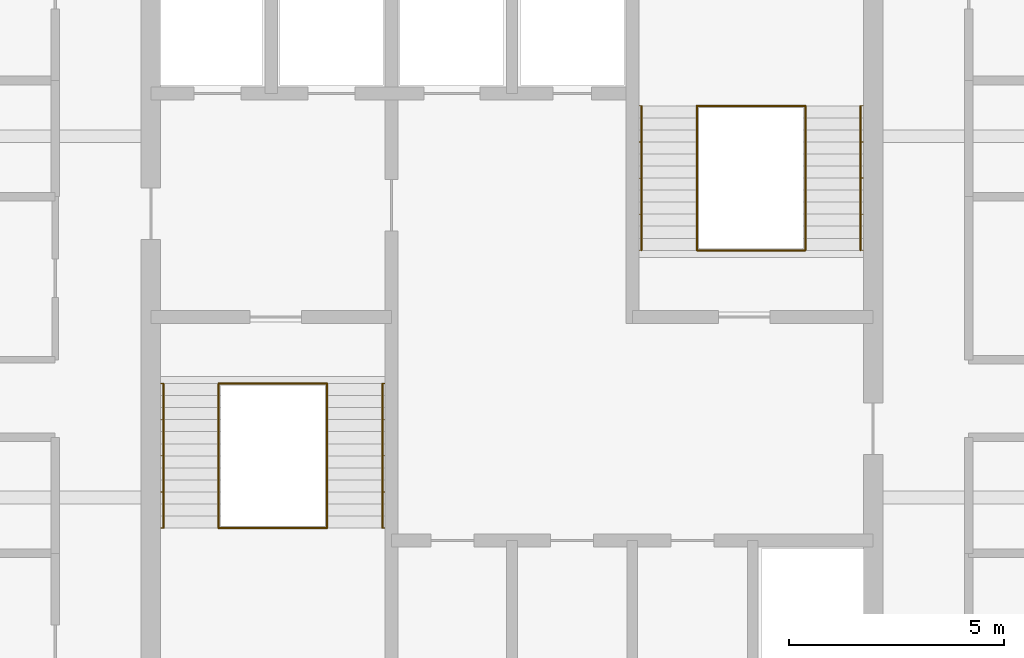
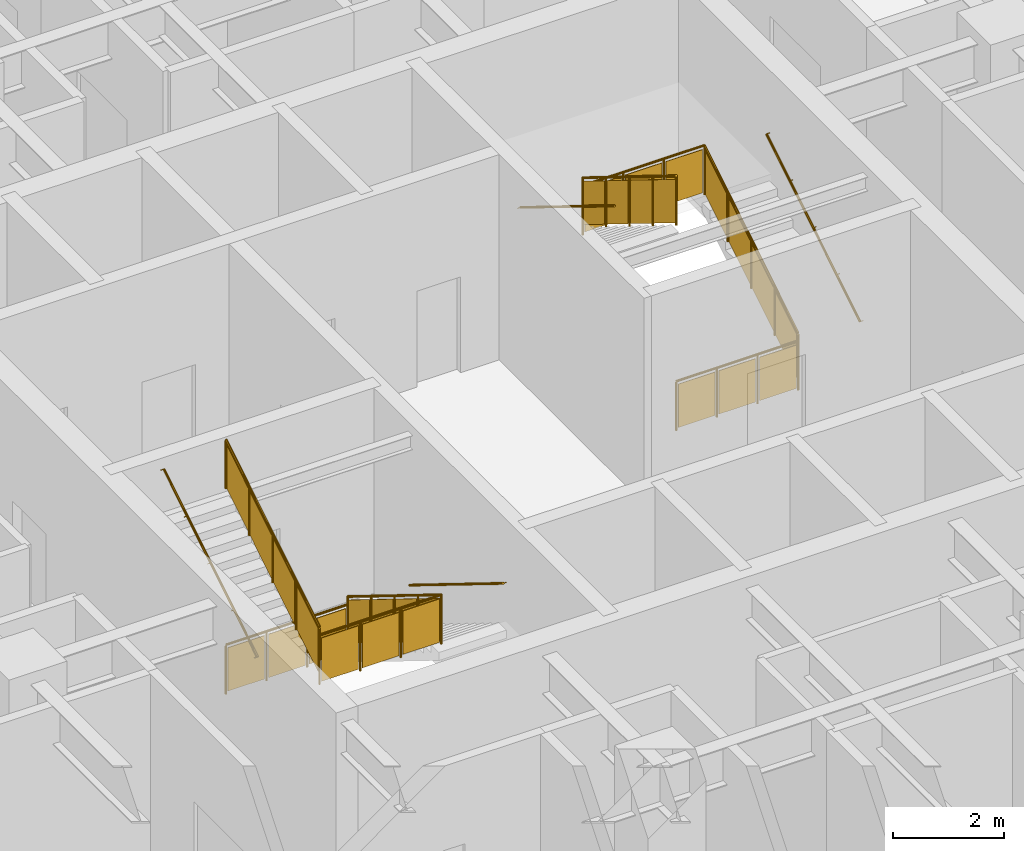
# One storey, part 8 of 8: 12 railings.
"""IFC4 building model written with IfcOpenShell, lengths in metres."""

import ifcopenshell
import ifcopenshell.guid

model = None  # the IFC model being written
_history = None  # IfcOwnerHistory: only IFC2X3 demands one
_inside = {}  # id of a spatial element -> (the spatial element, [elements in it])
_under = {}  # id of a project, library or spatial element -> (it, [spatial elements below it])
_declared = {}  # id of a project -> (the project, [libraries it declares])
_typed = {}  # id of a type object -> (the type object, [elements of that type])
_made_of = {}  # id of a material, layer set ... -> (it, [elements and type objects made of it])


def new_model(schema):
    """Start an empty IFC model of exactly this schema.

    Asked for "IFC4X3", IfcOpenShell would pick the latest addendum, in which some entities
    have other attributes; the version numbers below select the first issue.
    IFC2X3 requires an IfcOwnerHistory on every rooted entity: one is made here for all.
    """
    global model, _history
    if schema == "IFC4X3":
        model = ifcopenshell.file(schema_version=(4, 3, 0, 0))
    else:
        model = ifcopenshell.file(schema=schema)
    _inside.clear()
    _under.clear()
    _declared.clear()
    _typed.clear()
    _made_of.clear()
    _history = None
    if model.schema == "IFC2X3":
        org = make("IfcOrganization", Name="unknown")
        user = make(
            "IfcPersonAndOrganization",
            ThePerson=make("IfcPerson", FamilyName="unknown"),
            TheOrganization=org,
        )
        app = make(
            "IfcApplication",
            ApplicationDeveloper=org,
            Version="unknown",
            ApplicationFullName="unknown",
            ApplicationIdentifier="unknown",
        )
        _history = make(
            "IfcOwnerHistory",
            OwningUser=user,
            OwningApplication=app,
            ChangeAction="ADDED",
            CreationDate=0,
        )
    return model


def make(cls, **values):
    """One entity of the class cls with the attributes given. An attribute that is None is left unset."""
    return model.create_entity(
        cls, **{name: value for name, value in values.items() if value is not None}
    )


def rooted(cls, **values):
    """An entity with a GlobalId (a new one), such as an element, a storey or a relation."""
    return make(cls, GlobalId=ifcopenshell.guid.new(), OwnerHistory=_history, **values)


def si_unit(unit_type, name, prefix=None):
    """IfcSIUnit, for example si_unit("LENGTHUNIT", "METRE", prefix="MILLI")."""
    return make("IfcSIUnit", UnitType=unit_type, Prefix=prefix, Name=name)


def assignment(units):
    """IfcUnitAssignment: the units of a project."""
    return None if units is None else make("IfcUnitAssignment", Units=units)


def point(xyz):
    """IfcCartesianPoint."""
    return None if xyz is None else make("IfcCartesianPoint", Coordinates=xyz)


def direction(xyz):
    """IfcDirection."""
    return None if xyz is None else make("IfcDirection", DirectionRatios=xyz)


def frame(location, z_axis=None, x_axis=None):
    """IfcAxis2Placement3D, a coordinate frame: its origin and axes. An axis left out is left unset."""
    return make(
        "IfcAxis2Placement3D",
        Location=point(location),
        Axis=direction(z_axis),
        RefDirection=direction(x_axis),
    )


def frame_2d(location, x_axis=None):
    """IfcAxis2Placement2D, a coordinate frame in the plane: its origin and x axis."""
    return make(
        "IfcAxis2Placement2D", Location=point(location), RefDirection=direction(x_axis)
    )


def origin():
    """The frame at (0, 0, 0) with its axes left unset."""
    return frame((0.0, 0.0, 0.0))


def origin_2d():
    """The frame at (0, 0) in the plane with its x axis left unset."""
    return frame_2d((0.0, 0.0))


def place(relative_to, where):
    """IfcLocalPlacement: puts the frame where relative to a parent placement (None: the world)."""
    return make(
        "IfcLocalPlacement", PlacementRelTo=relative_to, RelativePlacement=where
    )


def context(
    kind, dimensions, precision=None, world=None, true_north=None, identifier=None
):
    """IfcGeometricRepresentationContext, for example the 3D "Model" context."""
    return make(
        "IfcGeometricRepresentationContext",
        ContextIdentifier=identifier,
        ContextType=kind,
        CoordinateSpaceDimension=dimensions,
        Precision=precision,
        WorldCoordinateSystem=world,
        TrueNorth=true_north,
    )


def subcontext(parent, identifier, kind, view, scale=None):
    """IfcGeometricRepresentationSubContext, for example "Body" below "Model"."""
    return make(
        "IfcGeometricRepresentationSubContext",
        ContextIdentifier=identifier,
        ContextType=kind,
        ParentContext=parent,
        TargetScale=scale,
        TargetView=view,
    )


def project(units=None, contexts=None):
    """IfcProject with its units and contexts."""
    return rooted(
        "IfcProject",
        Name="project",
        RepresentationContexts=contexts,
        UnitsInContext=assignment(units),
    )


def spatial(cls, under=None, at=None, **own):
    """A site, building, storey or space (cls), placed at a placement, below another one or the project."""
    s = rooted(cls, ObjectPlacement=at, **own)
    if under is not None:
        _under.setdefault(under.id(), (under, []))[1].append(s)
    return s


def polyline(points):
    """IfcPolyline through the points."""
    return make("IfcPolyline", Points=[point(p) for p in points])


def profile(cls, at=None, kind="AREA", **sizes):
    """A parametric profile (cls). Its sizes go by their IFC names, for example OverallWidth=200.0."""
    return make(cls, ProfileType=kind, Position=at, **sizes)


def circle(**sizes):
    """IfcCircleProfileDef."""
    return profile("IfcCircleProfileDef", **sizes)


def outline(outer, holes=None, kind="AREA"):
    """IfcArbitraryClosedProfileDef: a profile drawn as a closed curve; with holes, ...WithVoids."""
    if holes is None:
        return make("IfcArbitraryClosedProfileDef", ProfileType=kind, OuterCurve=outer)
    return make(
        "IfcArbitraryProfileDefWithVoids",
        ProfileType=kind,
        OuterCurve=outer,
        InnerCurves=holes,
    )


def extrude(swept, where, along, depth):
    """IfcExtrudedAreaSolid: the profile swept, set in the frame where, extruded along a direction by depth."""
    return make(
        "IfcExtrudedAreaSolid",
        SweptArea=swept,
        Position=where,
        ExtrudedDirection=direction(along),
        Depth=depth,
    )


def shape(context_of_items, identifier, shape_type, items):
    """IfcShapeRepresentation: the items that make up one representation, for example the "Body"."""
    return make(
        "IfcShapeRepresentation",
        ContextOfItems=context_of_items,
        RepresentationIdentifier=identifier,
        RepresentationType=shape_type,
        Items=items,
    )


def material(Name=None, Category=None):
    """IfcMaterial."""
    return make("IfcMaterial", Name=Name, Category=Category)


def made_of(thing, what):
    """Note that an element or type object is made of a material, layer set ...; save() writes the relation."""
    if what is not None:
        _made_of.setdefault(what.id(), (what, []))[1].append(thing)
    return thing


def type_object(cls, material=None, **own):
    """A type object (cls), such as IfcWallType, which elements share."""
    return made_of(rooted(cls, **own), material)


def element(
    cls,
    number,
    at=None,
    inside=None,
    cuts=None,
    type_object=None,
    material=None,
    context=None,
    identifier="Body",
    shape_type=None,
    held_by="IfcProductDefinitionShape",
    body=None,
    shapes=None,
    **own,
):
    """One element of the class cls, such as IfcWall. Its Tag is "e" and its number.

    at: its placement. inside: the storey or other place that contains it. cuts: it is an
    opening in that element (IfcRelVoidsElement). A single representation is given by context,
    identifier, shape_type and body (its items); several are given by shapes. held_by: the class
    of the entity that holds the representations. save() writes the other relations.
    """
    e = rooted(cls, Tag="e%d" % number, ObjectPlacement=at, **own)
    if body is not None:
        shapes = [shape(context, identifier, shape_type, body)]
    if shapes is not None:
        e.Representation = make(held_by, Representations=shapes)
    if inside is not None:
        _inside.setdefault(inside.id(), (inside, []))[1].append(e)
    if cuts is not None:
        rooted(
            "IfcRelVoidsElement", RelatingBuildingElement=cuts, RelatedOpeningElement=e
        )
    if type_object is not None:
        _typed.setdefault(type_object.id(), (type_object, []))[1].append(e)
    return made_of(e, material)


def aggregate(whole, parts):
    """IfcRelAggregates: a whole, such as a stair, and the parts it consists of."""
    return rooted("IfcRelAggregates", RelatingObject=whole, RelatedObjects=parts)


def save(model, path):
    """Write the relations noted so far, then the file.

    IfcRelAggregates (storeys below a building ...), IfcRelContainedInSpatialStructure (elements
    in a storey), IfcRelDefinesByType, IfcRelAssociatesMaterial and IfcRelDeclares: one each for
    every whole, place, type object, material and project.
    """
    for whole, parts in _under.values():
        aggregate(whole, parts)
    for where, things in _inside.values():
        rooted(
            "IfcRelContainedInSpatialStructure",
            RelatedElements=things,
            RelatingStructure=where,
        )
    for kind, things in _typed.values():
        rooted("IfcRelDefinesByType", RelatedObjects=things, RelatingType=kind)
    for what, things in _made_of.values():
        rooted("IfcRelAssociatesMaterial", RelatedObjects=things, RelatingMaterial=what)
    for by, libraries in _declared.values():
        rooted("IfcRelDeclares", RelatingContext=by, RelatedDefinitions=libraries)
    model.write(path)


model = new_model("IFC4")

# Units and contexts
model_context = context("Model", 3, precision=1e-05, world=origin(), true_north=direction((0.0, 1.0)))
body_context = subcontext(model_context, "Body", "Model", "MODEL_VIEW")
ifc_project = project(units=[si_unit("LENGTHUNIT", "METRE"), si_unit("AREAUNIT", "SQUARE_METRE"), si_unit("VOLUMEUNIT", "CUBIC_METRE"), si_unit("PLANEANGLEUNIT", "RADIAN"), si_unit("MASSUNIT", "GRAM", prefix="KILO")], contexts=[model_context])

# Site, building, storey
site_placement = place(None, origin())
site = spatial("IfcSite", under=ifc_project, at=site_placement, CompositionType="ELEMENT")
building_placement = place(site_placement, origin())
building = spatial("IfcBuilding", under=site, at=building_placement, Name="Torre Alcanfor", CompositionType="ELEMENT")
storey_placement = place(building_placement, frame((0.0, 0.0, 300.89990234375)))
storey = spatial("IfcBuildingStorey", under=building, at=storey_placement, Name="L79", CompositionType="ELEMENT", Elevation=300.89990234375)

# Railings
ifc_material_1 = material(Name="Steel ASTM A500 Grade C hollow sections", Category="steel")
railing_type_1 = type_object("IfcRailingType", Name="Stair guard and handrail 1100", PredefinedType="GUARDRAIL", material=ifc_material_1)
railing_1_placement = place(storey_placement, frame((25.10009765625, 27.85009765625, 0.173095703125)))
element("IfcRailing", 1, at=railing_1_placement, inside=storey, type_object=railing_type_1, Name="Stair guard S1 L79 flight 1", PredefinedType="GUARDRAIL", context=body_context, shape_type="SweptSolid", body=[
    extrude(circle(Radius=0.02392578125, at=origin_2d()), frame((0.0, 0.0, 1.076171875), z_axis=(0.0, -0.850623216509, 0.525775754039), x_axis=(1.0, 0.0, 0.0)), (0.0, 0.0, 1.0), 3.9501953125),
    extrude(circle(Radius=0.02099609375, at=origin_2d()), origin(), (0.0, 0.0, 1.0), 1.052001953125),
    extrude(circle(Radius=0.02099609375, at=origin_2d()), frame((0.0, -0.840087890625, 0.519287109375)), (0.0, 0.0, 1.0), 1.052001953125),
    extrude(circle(Radius=0.02099609375, at=origin_2d()), frame((0.0, -1.68017578125, 1.03857421875)), (0.0, 0.0, 1.0), 1.052001953125),
    extrude(circle(Radius=0.02099609375, at=origin_2d()), frame((0.0, -2.52001953125, 1.5576171875)), (0.0, 0.0, 1.0), 1.052001953125),
    extrude(circle(Radius=0.02099609375, at=origin_2d()), frame((0.0, -3.360107421875, 2.076904296875)), (0.0, 0.0, 1.0), 1.052001953125),
    extrude(outline(polyline([(0.041015625, 0.075439453125), (0.799072265625, 0.5439453125), (0.799072265625, 1.495849609375), (0.041015625, 1.02734375), (0.041015625, 0.075439453125)])), frame((0.005859375, 0.0, 0.0), z_axis=(-1.0, 0.0, 0.0), x_axis=(0.0, -1.0, 0.0)), (0.0, 0.0, 1.0), 0.011962890625),
    extrude(outline(polyline([(0.881103515625, 0.594482421875), (1.63916015625, 1.06298828125), (1.63916015625, 2.01513671875), (0.881103515625, 1.546630859375), (0.881103515625, 0.594482421875)])), frame((0.005859375, 0.0, 0.0), z_axis=(-1.0, 0.0, 0.0), x_axis=(0.0, -1.0, 0.0)), (0.0, 0.0, 1.0), 0.011962890625),
    extrude(outline(polyline([(1.720947265625, 1.11376953125), (2.47900390625, 1.582275390625), (2.47900390625, 2.534423828125), (1.720947265625, 2.065673828125), (1.720947265625, 1.11376953125)])), frame((0.005859375, 0.0, 0.0), z_axis=(-1.0, 0.0, 0.0), x_axis=(0.0, -1.0, 0.0)), (0.0, 0.0, 1.0), 0.011962890625),
    extrude(outline(polyline([(2.56103515625, 1.633056640625), (3.319091796875, 2.1015625), (3.319091796875, 3.053466796875), (2.56103515625, 2.5849609375), (2.56103515625, 1.633056640625)])), frame((0.005859375, 0.0, 0.0), z_axis=(-1.0, 0.0, 0.0), x_axis=(0.0, -1.0, 0.0)), (0.0, 0.0, 1.0), 0.011962890625),
])
railing_2_placement = place(storey_placement, frame((22.574951171875, 24.489990234375, 2.423095703125)))
element("IfcRailing", 2, at=railing_2_placement, inside=storey, type_object=railing_type_1, Name="Stair guard S1 L79 flight 2", PredefinedType="GUARDRAIL", context=body_context, shape_type="SweptSolid", body=[
    extrude(circle(Radius=0.02392578125, at=origin_2d()), frame((0.0, 0.0, 1.076171875), z_axis=(0.0, 0.850623216509, 0.525775754039), x_axis=(-1.0, 0.0, 0.0)), (0.0, 0.0, 1.0), 3.9501953125),
    extrude(circle(Radius=0.02099609375, at=origin_2d()), origin(), (0.0, 0.0, 1.0), 1.052001953125),
    extrude(circle(Radius=0.02099609375, at=origin_2d()), frame((0.0, 0.840087890625, 0.519287109375)), (0.0, 0.0, 1.0), 1.052001953125),
    extrude(circle(Radius=0.02099609375, at=origin_2d()), frame((0.0, 1.68017578125, 1.03857421875)), (0.0, 0.0, 1.0), 1.052001953125),
    extrude(circle(Radius=0.02099609375, at=origin_2d()), frame((0.0, 2.52001953125, 1.5576171875)), (0.0, 0.0, 1.0), 1.052001953125),
    extrude(circle(Radius=0.02099609375, at=origin_2d()), frame((0.0, 3.360107421875, 2.076904296875)), (0.0, 0.0, 1.0), 1.052001953125),
    extrude(outline(polyline([(0.041015625, 0.075439453125), (0.799072265625, 0.5439453125), (0.799072265625, 1.495849609375), (0.041015625, 1.02734375), (0.041015625, 0.075439453125)])), frame((-0.005859375, 0.0, 0.0), z_axis=(1.0, 0.0, 0.0), x_axis=(0.0, 1.0, 0.0)), (0.0, 0.0, 1.0), 0.011962890625),
    extrude(outline(polyline([(0.881103515625, 0.594482421875), (1.63916015625, 1.06298828125), (1.63916015625, 2.01513671875), (0.881103515625, 1.546630859375), (0.881103515625, 0.594482421875)])), frame((-0.005859375, 0.0, 0.0), z_axis=(1.0, 0.0, 0.0), x_axis=(0.0, 1.0, 0.0)), (0.0, 0.0, 1.0), 0.011962890625),
    extrude(outline(polyline([(1.720947265625, 1.11376953125), (2.47900390625, 1.582275390625), (2.47900390625, 2.534423828125), (1.720947265625, 2.065673828125), (1.720947265625, 1.11376953125)])), frame((-0.005859375, 0.0, 0.0), z_axis=(1.0, 0.0, 0.0), x_axis=(0.0, 1.0, 0.0)), (0.0, 0.0, 1.0), 0.011962890625),
    extrude(outline(polyline([(2.56103515625, 1.633056640625), (3.319091796875, 2.1015625), (3.319091796875, 3.053466796875), (2.56103515625, 2.5849609375), (2.56103515625, 1.633056640625)])), frame((-0.005859375, 0.0, 0.0), z_axis=(1.0, 0.0, 0.0), x_axis=(0.0, 1.0, 0.0)), (0.0, 0.0, 1.0), 0.011962890625),
])
for number, where, name in (
    (3, (22.574951171875, 27.85009765625, 0.0), "Stair well guard S1 L79 floor landing"),
    (4, (22.574951171875, 24.489990234375, 2.25), "Stair well guard S1 L79 half landing"),
):
    element("IfcRailing", number, at=place(storey_placement, frame(where)), inside=storey, type_object=railing_type_1, Name=name, PredefinedType="GUARDRAIL", context=body_context, shape_type="SweptSolid", body=[
        extrude(circle(Radius=0.02392578125, at=origin_2d()), frame((0.0, 0.0, 1.076171875), z_axis=(1.0, 0.0, 0.0), x_axis=(0.0, 1.0, 0.0)), (0.0, 0.0, 1.0), 2.525146484375),
        extrude(circle(Radius=0.02099609375, at=origin_2d()), origin(), (0.0, 0.0, 1.0), 1.052001953125),
        extrude(circle(Radius=0.02099609375, at=origin_2d()), frame((0.841796875, 0.0, 0.0)), (0.0, 0.0, 1.0), 1.052001953125),
        extrude(circle(Radius=0.02099609375, at=origin_2d()), frame((1.683349609375, 0.0, 0.0)), (0.0, 0.0, 1.0), 1.052001953125),
        extrude(circle(Radius=0.02099609375, at=origin_2d()), frame((2.525146484375, 0.0, 0.0)), (0.0, 0.0, 1.0), 1.052001953125),
        extrude(outline(polyline([(0.041015625, 0.050048828125), (0.80078125, 0.050048828125), (0.80078125, 1.001953125), (0.041015625, 1.001953125), (0.041015625, 0.050048828125)])), frame((0.0, 0.005859375, 0.0), z_axis=(0.0, -1.0, 0.0), x_axis=(1.0, 0.0, 0.0)), (0.0, 0.0, 1.0), 0.011962890625),
        extrude(outline(polyline([(0.8828125, 0.050048828125), (1.642333984375, 0.050048828125), (1.642333984375, 1.001953125), (0.8828125, 1.001953125), (0.8828125, 0.050048828125)])), frame((0.0, 0.005859375, 0.0), z_axis=(0.0, -1.0, 0.0), x_axis=(1.0, 0.0, 0.0)), (0.0, 0.0, 1.0), 0.011962890625),
        extrude(outline(polyline([(1.724365234375, 0.050048828125), (2.484130859375, 0.050048828125), (2.484130859375, 1.001953125), (1.724365234375, 1.001953125), (1.724365234375, 0.050048828125)])), frame((0.0, 0.005859375, 0.0), z_axis=(0.0, -1.0, 0.0), x_axis=(1.0, 0.0, 0.0)), (0.0, 0.0, 1.0), 0.011962890625),
    ])
railing_3_placement = place(storey_placement, frame((36.22509765625, 30.949951171875, 0.173095703125)))
element("IfcRailing", 5, at=railing_3_placement, inside=storey, type_object=railing_type_1, Name="Stair guard S2 L79 flight 1", PredefinedType="GUARDRAIL", context=body_context, shape_type="SweptSolid", body=[
    extrude(circle(Radius=0.02392578125, at=origin_2d()), frame((0.0, 0.0, 1.076171875), z_axis=(0.0, 0.850623216509, 0.525775754039), x_axis=(-1.0, 0.0, 0.0)), (0.0, 0.0, 1.0), 3.9501953125),
    extrude(circle(Radius=0.02099609375, at=origin_2d()), origin(), (0.0, 0.0, 1.0), 1.052001953125),
    extrude(circle(Radius=0.02099609375, at=origin_2d()), frame((0.0, 0.840087890625, 0.519287109375)), (0.0, 0.0, 1.0), 1.052001953125),
    extrude(circle(Radius=0.02099609375, at=origin_2d()), frame((0.0, 1.68017578125, 1.03857421875)), (0.0, 0.0, 1.0), 1.052001953125),
    extrude(circle(Radius=0.02099609375, at=origin_2d()), frame((0.0, 2.52001953125, 1.5576171875)), (0.0, 0.0, 1.0), 1.052001953125),
    extrude(circle(Radius=0.02099609375, at=origin_2d()), frame((0.0, 3.360107421875, 2.076904296875)), (0.0, 0.0, 1.0), 1.052001953125),
    extrude(outline(polyline([(0.041015625, 0.075439453125), (0.799072265625, 0.5439453125), (0.799072265625, 1.495849609375), (0.041015625, 1.02734375), (0.041015625, 0.075439453125)])), frame((-0.005859375, 0.0, 0.0), z_axis=(1.0, 0.0, 0.0), x_axis=(0.0, 1.0, 0.0)), (0.0, 0.0, 1.0), 0.011962890625),
    extrude(outline(polyline([(0.881103515625, 0.594482421875), (1.63916015625, 1.06298828125), (1.63916015625, 2.01513671875), (0.881103515625, 1.546630859375), (0.881103515625, 0.594482421875)])), frame((-0.005859375, 0.0, 0.0), z_axis=(1.0, 0.0, 0.0), x_axis=(0.0, 1.0, 0.0)), (0.0, 0.0, 1.0), 0.011962890625),
    extrude(outline(polyline([(1.720947265625, 1.11376953125), (2.47900390625, 1.582275390625), (2.47900390625, 2.534423828125), (1.720947265625, 2.065673828125), (1.720947265625, 1.11376953125)])), frame((-0.005859375, 0.0, 0.0), z_axis=(1.0, 0.0, 0.0), x_axis=(0.0, 1.0, 0.0)), (0.0, 0.0, 1.0), 0.011962890625),
    extrude(outline(polyline([(2.56103515625, 1.633056640625), (3.319091796875, 2.1015625), (3.319091796875, 3.053466796875), (2.56103515625, 2.5849609375), (2.56103515625, 1.633056640625)])), frame((-0.005859375, 0.0, 0.0), z_axis=(1.0, 0.0, 0.0), x_axis=(0.0, 1.0, 0.0)), (0.0, 0.0, 1.0), 0.011962890625),
])
railing_4_placement = place(storey_placement, frame((33.699951171875, 34.31005859375, 2.423095703125)))
element("IfcRailing", 6, at=railing_4_placement, inside=storey, type_object=railing_type_1, Name="Stair guard S2 L79 flight 2", PredefinedType="GUARDRAIL", context=body_context, shape_type="SweptSolid", body=[
    extrude(circle(Radius=0.02392578125, at=origin_2d()), frame((0.0, 0.0, 1.076171875), z_axis=(0.0, -0.850623216509, 0.525775754039), x_axis=(1.0, 0.0, 0.0)), (0.0, 0.0, 1.0), 3.9501953125),
    extrude(circle(Radius=0.02099609375, at=origin_2d()), origin(), (0.0, 0.0, 1.0), 1.052001953125),
    extrude(circle(Radius=0.02099609375, at=origin_2d()), frame((0.0, -0.840087890625, 0.519287109375)), (0.0, 0.0, 1.0), 1.052001953125),
    extrude(circle(Radius=0.02099609375, at=origin_2d()), frame((0.0, -1.68017578125, 1.03857421875)), (0.0, 0.0, 1.0), 1.052001953125),
    extrude(circle(Radius=0.02099609375, at=origin_2d()), frame((0.0, -2.52001953125, 1.5576171875)), (0.0, 0.0, 1.0), 1.052001953125),
    extrude(circle(Radius=0.02099609375, at=origin_2d()), frame((0.0, -3.360107421875, 2.076904296875)), (0.0, 0.0, 1.0), 1.052001953125),
    extrude(outline(polyline([(0.041015625, 0.075439453125), (0.799072265625, 0.5439453125), (0.799072265625, 1.495849609375), (0.041015625, 1.02734375), (0.041015625, 0.075439453125)])), frame((0.005859375, 0.0, 0.0), z_axis=(-1.0, 0.0, 0.0), x_axis=(0.0, -1.0, 0.0)), (0.0, 0.0, 1.0), 0.011962890625),
    extrude(outline(polyline([(0.881103515625, 0.594482421875), (1.63916015625, 1.06298828125), (1.63916015625, 2.01513671875), (0.881103515625, 1.546630859375), (0.881103515625, 0.594482421875)])), frame((0.005859375, 0.0, 0.0), z_axis=(-1.0, 0.0, 0.0), x_axis=(0.0, -1.0, 0.0)), (0.0, 0.0, 1.0), 0.011962890625),
    extrude(outline(polyline([(1.720947265625, 1.11376953125), (2.47900390625, 1.582275390625), (2.47900390625, 2.534423828125), (1.720947265625, 2.065673828125), (1.720947265625, 1.11376953125)])), frame((0.005859375, 0.0, 0.0), z_axis=(-1.0, 0.0, 0.0), x_axis=(0.0, -1.0, 0.0)), (0.0, 0.0, 1.0), 0.011962890625),
    extrude(outline(polyline([(2.56103515625, 1.633056640625), (3.319091796875, 2.1015625), (3.319091796875, 3.053466796875), (2.56103515625, 2.5849609375), (2.56103515625, 1.633056640625)])), frame((0.005859375, 0.0, 0.0), z_axis=(-1.0, 0.0, 0.0), x_axis=(0.0, -1.0, 0.0)), (0.0, 0.0, 1.0), 0.011962890625),
])
for number, where, name in (
    (7, (33.699951171875, 30.949951171875, 0.0), "Stair well guard S2 L79 floor landing"),
    (8, (33.699951171875, 34.31005859375, 2.25), "Stair well guard S2 L79 half landing"),
):
    element("IfcRailing", number, at=place(storey_placement, frame(where)), inside=storey, type_object=railing_type_1, Name=name, PredefinedType="GUARDRAIL", context=body_context, shape_type="SweptSolid", body=[
        extrude(circle(Radius=0.02392578125, at=origin_2d()), frame((0.0, 0.0, 1.076171875), z_axis=(1.0, 0.0, 0.0), x_axis=(0.0, 1.0, 0.0)), (0.0, 0.0, 1.0), 2.525146484375),
        extrude(circle(Radius=0.02099609375, at=origin_2d()), origin(), (0.0, 0.0, 1.0), 1.052001953125),
        extrude(circle(Radius=0.02099609375, at=origin_2d()), frame((0.841796875, 0.0, 0.0)), (0.0, 0.0, 1.0), 1.052001953125),
        extrude(circle(Radius=0.02099609375, at=origin_2d()), frame((1.683349609375, 0.0, 0.0)), (0.0, 0.0, 1.0), 1.052001953125),
        extrude(circle(Radius=0.02099609375, at=origin_2d()), frame((2.525146484375, 0.0, 0.0)), (0.0, 0.0, 1.0), 1.052001953125),
        extrude(outline(polyline([(0.041015625, 0.050048828125), (0.80078125, 0.050048828125), (0.80078125, 1.001953125), (0.041015625, 1.001953125), (0.041015625, 0.050048828125)])), frame((0.0, 0.005859375, 0.0), z_axis=(0.0, -1.0, 0.0), x_axis=(1.0, 0.0, 0.0)), (0.0, 0.0, 1.0), 0.011962890625),
        extrude(outline(polyline([(0.8828125, 0.050048828125), (1.642333984375, 0.050048828125), (1.642333984375, 1.001953125), (0.8828125, 1.001953125), (0.8828125, 0.050048828125)])), frame((0.0, 0.005859375, 0.0), z_axis=(0.0, -1.0, 0.0), x_axis=(1.0, 0.0, 0.0)), (0.0, 0.0, 1.0), 0.011962890625),
        extrude(outline(polyline([(1.724365234375, 0.050048828125), (2.484130859375, 0.050048828125), (2.484130859375, 1.001953125), (1.724365234375, 1.001953125), (1.724365234375, 0.050048828125)])), frame((0.0, 0.005859375, 0.0), z_axis=(0.0, -1.0, 0.0), x_axis=(1.0, 0.0, 0.0)), (0.0, 0.0, 1.0), 0.011962890625),
    ])
ifc_material_2 = material(Name="Steel ASTM A500 Grade C hollow sections", Category="steel")
railing_type_2 = type_object("IfcRailingType", Name="Stair wall handrail 900", PredefinedType="HANDRAIL", material=ifc_material_2)
railing_5_placement = place(storey_placement, frame((26.385009765625, 27.85009765625, 0.173095703125)))
element("IfcRailing", 9, at=railing_5_placement, inside=storey, type_object=railing_type_2, Name="Stair handrail S1 L79 flight 1", PredefinedType="HANDRAIL", context=body_context, shape_type="SweptSolid", body=[
    extrude(circle(Radius=0.02392578125, at=origin_2d()), frame((0.0, 0.0, 0.8759765625), z_axis=(0.0, -0.850623216509, 0.525775754039), x_axis=(1.0, 0.0, 0.0)), (0.0, 0.0, 1.0), 3.9501953125),
    extrude(circle(Radius=0.008056640625, at=origin_2d()), frame((0.0, 0.0, 0.8759765625), z_axis=(1.0, 0.0, 0.0), x_axis=(0.0, 0.0, 1.0)), (0.0, 0.0, 1.0), 0.06494140625),
    extrude(circle(Radius=0.008056640625, at=origin_2d()), frame((0.0, -0.840087890625, 1.39501953125), z_axis=(1.0, 0.0, 0.0), x_axis=(0.0, 0.0, 1.0)), (0.0, 0.0, 1.0), 0.06494140625),
    extrude(circle(Radius=0.008056640625, at=origin_2d()), frame((0.0, -1.68017578125, 1.914306640625), z_axis=(1.0, 0.0, 0.0), x_axis=(0.0, 0.0, 1.0)), (0.0, 0.0, 1.0), 0.06494140625),
    extrude(circle(Radius=0.008056640625, at=origin_2d()), frame((0.0, -2.52001953125, 2.43359375), z_axis=(1.0, 0.0, 0.0), x_axis=(0.0, 0.0, 1.0)), (0.0, 0.0, 1.0), 0.06494140625),
    extrude(circle(Radius=0.008056640625, at=origin_2d()), frame((0.0, -3.360107421875, 2.95263671875), z_axis=(1.0, 0.0, 0.0), x_axis=(0.0, 0.0, 1.0)), (0.0, 0.0, 1.0), 0.06494140625),
])
railing_6_placement = place(storey_placement, frame((21.2900390625, 24.489990234375, 2.423095703125)))
element("IfcRailing", 10, at=railing_6_placement, inside=storey, type_object=railing_type_2, Name="Stair handrail S1 L79 flight 2", PredefinedType="HANDRAIL", context=body_context, shape_type="SweptSolid", body=[
    extrude(circle(Radius=0.02392578125, at=origin_2d()), frame((0.0, 0.0, 0.8759765625), z_axis=(0.0, 0.850623216509, 0.525775754039), x_axis=(-1.0, 0.0, 0.0)), (0.0, 0.0, 1.0), 3.9501953125),
    extrude(circle(Radius=0.008056640625, at=origin_2d()), frame((0.0, 0.0, 0.8759765625), z_axis=(-1.0, 0.0, 0.0), x_axis=(0.0, 0.0, 1.0)), (0.0, 0.0, 1.0), 0.06494140625),
    extrude(circle(Radius=0.008056640625, at=origin_2d()), frame((0.0, 0.840087890625, 1.39501953125), z_axis=(-1.0, 0.0, 0.0), x_axis=(0.0, 0.0, 1.0)), (0.0, 0.0, 1.0), 0.06494140625),
    extrude(circle(Radius=0.008056640625, at=origin_2d()), frame((0.0, 1.68017578125, 1.914306640625), z_axis=(-1.0, 0.0, 0.0), x_axis=(0.0, 0.0, 1.0)), (0.0, 0.0, 1.0), 0.06494140625),
    extrude(circle(Radius=0.008056640625, at=origin_2d()), frame((0.0, 2.52001953125, 2.43359375), z_axis=(-1.0, 0.0, 0.0), x_axis=(0.0, 0.0, 1.0)), (0.0, 0.0, 1.0), 0.06494140625),
    extrude(circle(Radius=0.008056640625, at=origin_2d()), frame((0.0, 3.360107421875, 2.95263671875), z_axis=(-1.0, 0.0, 0.0), x_axis=(0.0, 0.0, 1.0)), (0.0, 0.0, 1.0), 0.06494140625),
])
railing_7_placement = place(storey_placement, frame((37.510009765625, 30.949951171875, 0.173095703125)))
element("IfcRailing", 11, at=railing_7_placement, inside=storey, type_object=railing_type_2, Name="Stair handrail S2 L79 flight 1", PredefinedType="HANDRAIL", context=body_context, shape_type="SweptSolid", body=[
    extrude(circle(Radius=0.02392578125, at=origin_2d()), frame((0.0, 0.0, 0.8759765625), z_axis=(0.0, 0.850623216509, 0.525775754039), x_axis=(-1.0, 0.0, 0.0)), (0.0, 0.0, 1.0), 3.9501953125),
    extrude(circle(Radius=0.008056640625, at=origin_2d()), frame((0.0, 0.0, 0.8759765625), z_axis=(1.0, 0.0, 0.0), x_axis=(0.0, 0.0, 1.0)), (0.0, 0.0, 1.0), 0.06494140625),
    extrude(circle(Radius=0.008056640625, at=origin_2d()), frame((0.0, 0.840087890625, 1.39501953125), z_axis=(1.0, 0.0, 0.0), x_axis=(0.0, 0.0, 1.0)), (0.0, 0.0, 1.0), 0.06494140625),
    extrude(circle(Radius=0.008056640625, at=origin_2d()), frame((0.0, 1.68017578125, 1.914306640625), z_axis=(1.0, 0.0, 0.0), x_axis=(0.0, 0.0, 1.0)), (0.0, 0.0, 1.0), 0.06494140625),
    extrude(circle(Radius=0.008056640625, at=origin_2d()), frame((0.0, 2.52001953125, 2.43359375), z_axis=(1.0, 0.0, 0.0), x_axis=(0.0, 0.0, 1.0)), (0.0, 0.0, 1.0), 0.06494140625),
    extrude(circle(Radius=0.008056640625, at=origin_2d()), frame((0.0, 3.360107421875, 2.95263671875), z_axis=(1.0, 0.0, 0.0), x_axis=(0.0, 0.0, 1.0)), (0.0, 0.0, 1.0), 0.06494140625),
])
railing_8_placement = place(storey_placement, frame((32.4150390625, 34.31005859375, 2.423095703125)))
element("IfcRailing", 12, at=railing_8_placement, inside=storey, type_object=railing_type_2, Name="Stair handrail S2 L79 flight 2", PredefinedType="HANDRAIL", context=body_context, shape_type="SweptSolid", body=[
    extrude(circle(Radius=0.02392578125, at=origin_2d()), frame((0.0, 0.0, 0.8759765625), z_axis=(0.0, -0.850623216509, 0.525775754039), x_axis=(1.0, 0.0, 0.0)), (0.0, 0.0, 1.0), 3.9501953125),
    extrude(circle(Radius=0.008056640625, at=origin_2d()), frame((0.0, 0.0, 0.8759765625), z_axis=(-1.0, 0.0, 0.0), x_axis=(0.0, 0.0, 1.0)), (0.0, 0.0, 1.0), 0.06494140625),
    extrude(circle(Radius=0.008056640625, at=origin_2d()), frame((0.0, -0.840087890625, 1.39501953125), z_axis=(-1.0, 0.0, 0.0), x_axis=(0.0, 0.0, 1.0)), (0.0, 0.0, 1.0), 0.06494140625),
    extrude(circle(Radius=0.008056640625, at=origin_2d()), frame((0.0, -1.68017578125, 1.914306640625), z_axis=(-1.0, 0.0, 0.0), x_axis=(0.0, 0.0, 1.0)), (0.0, 0.0, 1.0), 0.06494140625),
    extrude(circle(Radius=0.008056640625, at=origin_2d()), frame((0.0, -2.52001953125, 2.43359375), z_axis=(-1.0, 0.0, 0.0), x_axis=(0.0, 0.0, 1.0)), (0.0, 0.0, 1.0), 0.06494140625),
    extrude(circle(Radius=0.008056640625, at=origin_2d()), frame((0.0, -3.360107421875, 2.95263671875), z_axis=(-1.0, 0.0, 0.0), x_axis=(0.0, 0.0, 1.0)), (0.0, 0.0, 1.0), 0.06494140625),
])

save(model, "model.ifc")
